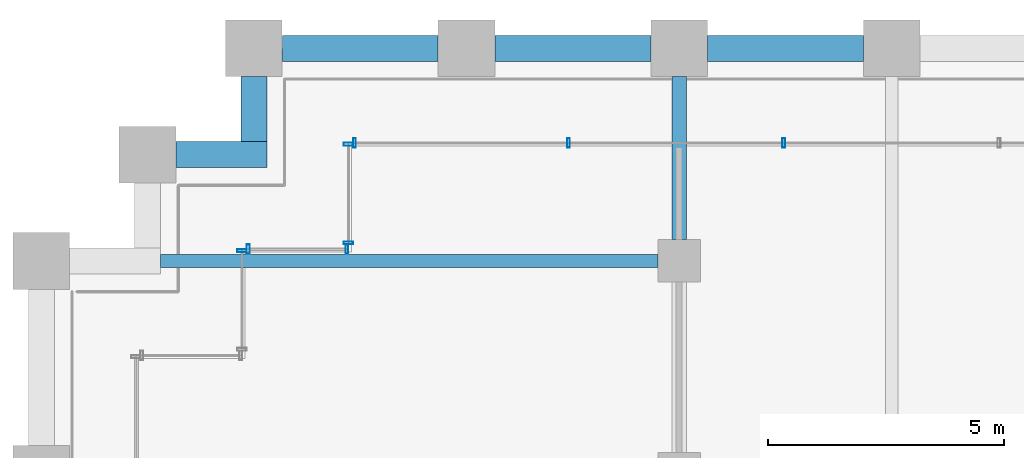
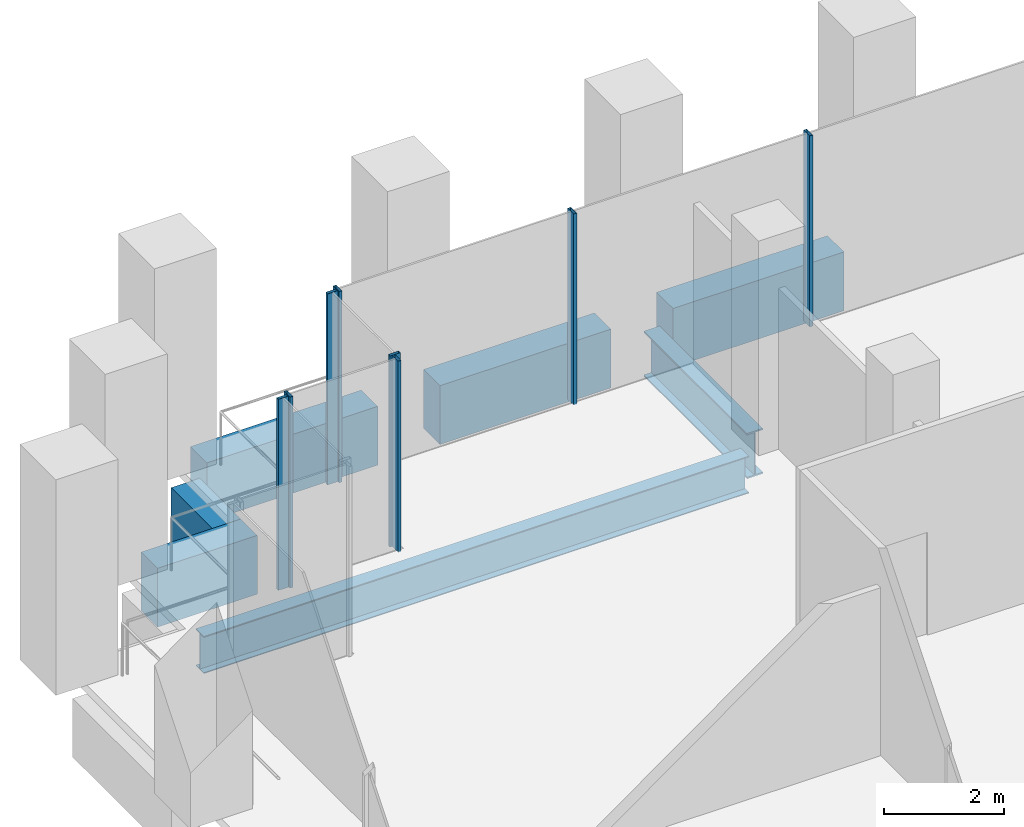
# One storey, part 14 of 36: 8 members, 7 beams, 4 elements without a shape of their own.
"""IFC4 building model written with IfcOpenShell, lengths in metres."""

from ifc_helpers import new_model, si_unit, direction, frame, origin, origin_2d, place, context, subcontext, project, spatial, rectangle, hollow_rectangle, i_section, extrude, material, material_profile, profile_set, type_object, element, aggregate, save


model = new_model("IFC4")

# Units and contexts
model_context = context("Model", 3, precision=1e-05, world=origin(), true_north=direction((0.0, 1.0)))
body_context = subcontext(model_context, "Body", "Model", "MODEL_VIEW")
ifc_project = project(units=[si_unit("LENGTHUNIT", "METRE"), si_unit("AREAUNIT", "SQUARE_METRE"), si_unit("VOLUMEUNIT", "CUBIC_METRE"), si_unit("PLANEANGLEUNIT", "RADIAN"), si_unit("MASSUNIT", "GRAM", prefix="KILO")], contexts=[model_context])

# Site, building, storey
site_placement = place(None, origin())
site = spatial("IfcSite", under=ifc_project, at=site_placement, CompositionType="ELEMENT")
building_placement = place(site_placement, origin())
building = spatial("IfcBuilding", under=site, at=building_placement, Name="Altepetl Exchange Towers", CompositionType="ELEMENT")
storey_placement = place(building_placement, frame((0.0, 0.0, 25.39990234375)))
storey = spatial("IfcBuildingStorey", under=building, at=storey_placement, Name="L05", CompositionType="ELEMENT", Elevation=25.39990234375)

# Beams
ifc_material_1 = material(Name="Steel S355", Category="steel")
ifc_material_profile_1 = material_profile(ifc_material_1, i_section(OverallWidth=0.26611328125, OverallDepth=0.758056640625, WebThickness=0.013916015625, FlangeThickness=0.019287109375, at=origin_2d()), Name="W30X108")
ifc_profile_set_1 = profile_set([ifc_material_profile_1], Name="Steel S355")
beam_type_1 = type_object("IfcBeamType", Name="Floor beam W30X108", PredefinedType="BEAM", material=ifc_profile_set_1)
beam_1_placement = place(storey_placement, frame((29.52490234375, 67.5, -0.553955078125), z_axis=(1.0, 0.0, 0.0), x_axis=(0.0, 1.0, 0.0)))
element("IfcBeam", 1, at=beam_1_placement, inside=storey, type_object=beam_type_1, Name="bm:A:L05:023", PredefinedType="BEAM", context=body_context, shape_type="SweptSolid", body=[
    extrude(i_section(OverallWidth=0.26611328125, OverallDepth=0.758056640625, WebThickness=0.013916015625, FlangeThickness=0.019287109375, at=origin_2d()), origin(), (0.0, 0.0, 1.0), 10.525146484375),
])
ifc_material_profile_2 = material_profile(ifc_material_1, i_section(OverallWidth=0.306884765625, OverallDepth=0.923095703125, WebThickness=0.018310546875, FlangeThickness=0.030029296875, at=origin_2d()), Name="W36X182")
ifc_profile_set_2 = profile_set([ifc_material_profile_2], Name="Steel S355")
beam_type_2 = type_object("IfcBeamType", Name="Girder W36X182", PredefinedType="BEAM", material=ifc_profile_set_2)
beam_2_placement = place(storey_placement, frame((40.5, 71.39990234375, -0.636474609375), z_axis=(0.0, -1.0, 0.0), x_axis=(1.0, 0.0, 0.0)))
element("IfcBeam", 2, at=beam_2_placement, inside=storey, type_object=beam_type_2, Name="gd:A:L05:003", PredefinedType="BEAM", context=body_context, shape_type="SweptSolid", body=[
    extrude(i_section(OverallWidth=0.306884765625, OverallDepth=0.923095703125, WebThickness=0.018310546875, FlangeThickness=0.030029296875, at=origin_2d()), origin(), (0.0, 0.0, 1.0), 3.449951171875),
])

# Curtain wall, members
ifc_material_2 = material(Name="Aluminium 6063-T6 glazing", Category="aluminium")
curtain_wall_type = type_object("IfcCurtainWallType", Name="Trading floor glazing system", PredefinedType="NOTDEFINED", material=ifc_material_2)
curtain_wall_1_placement = place(storey_placement, origin())
curtain_wall_1 = element("IfcCurtainWall", 3, at=curtain_wall_1_placement, inside=storey, type_object=curtain_wall_type, Name="CW2 run", PredefinedType="NOTDEFINED")
ifc_material_3 = material(Name="Aluminium 6063-T6", Category="aluminium")
ifc_material_profile_3 = material_profile(ifc_material_3, hollow_rectangle(XDim=0.06005859375, YDim=0.199951171875, WallThickness=0.0029296875, at=origin_2d()), Name="Mullion 60x200 aluminium")
ifc_profile_set_3 = profile_set([ifc_material_profile_3], Name="Aluminium 6063-T6")
member_type = type_object("IfcMemberType", Name="Mullion 60x200 aluminium", PredefinedType="MULLION", material=ifc_profile_set_3)
member_1_placement = place(storey_placement, frame((42.71435546875, 70.0, 0.0), z_axis=(0.0, 0.0, 1.0), x_axis=(-1.0, 0.0, 0.0)))
member_1 = element("IfcMember", 4, at=member_1_placement, type_object=member_type, Name="MU2 mullion", PredefinedType="MULLION", context=body_context, shape_type="SweptSolid", body=[
    extrude(hollow_rectangle(XDim=0.06005859375, YDim=0.199951171875, WallThickness=0.0029296875, at=origin_2d()), origin(), (0.0, 0.0, 1.0), 3.900146484375),
])
member_2_placement = place(storey_placement, frame((38.1572265625, 70.0, 0.0), z_axis=(0.0, 0.0, 1.0), x_axis=(-1.0, 0.0, 0.0)))
member_2 = element("IfcMember", 5, at=member_2_placement, type_object=member_type, Name="MU2 mullion", PredefinedType="MULLION", context=body_context, shape_type="SweptSolid", body=[
    extrude(hollow_rectangle(XDim=0.06005859375, YDim=0.199951171875, WallThickness=0.0029296875, at=origin_2d()), origin(), (0.0, 0.0, 1.0), 3.900146484375),
])
member_3_placement = place(storey_placement, frame((33.6298828125, 70.0, 0.0), z_axis=(0.0, 0.0, 1.0), x_axis=(-1.0, 0.0, 0.0)))
member_3 = element("IfcMember", 6, at=member_3_placement, type_object=member_type, Name="MU2 mullion", PredefinedType="MULLION", context=body_context, shape_type="SweptSolid", body=[
    extrude(hollow_rectangle(XDim=0.06005859375, YDim=0.199951171875, WallThickness=0.0029296875, at=origin_2d()), origin(), (0.0, 0.0, 1.0), 3.900146484375),
])
aggregate(curtain_wall_1, [member_1, member_2, member_3])

curtain_wall_2_placement = place(storey_placement, origin())
curtain_wall_2 = element("IfcCurtainWall", 7, at=curtain_wall_2_placement, inside=storey, type_object=curtain_wall_type, Name="CW2 run", PredefinedType="NOTDEFINED")
member_4_placement = place(storey_placement, frame((33.5, 69.969970703125, 0.0), z_axis=(0.0, 0.0, 1.0), x_axis=(0.0, -1.0, 0.0)))
member_4 = element("IfcMember", 8, at=member_4_placement, type_object=member_type, Name="MU2 mullion", PredefinedType="MULLION", context=body_context, shape_type="SweptSolid", body=[
    extrude(hollow_rectangle(XDim=0.06005859375, YDim=0.199951171875, WallThickness=0.0029296875, at=origin_2d()), origin(), (0.0, 0.0, 1.0), 3.900146484375),
])
member_5_placement = place(storey_placement, frame((33.5, 67.8798828125, 0.0), z_axis=(0.0, 0.0, 1.0), x_axis=(0.0, -1.0, 0.0)))
member_5 = element("IfcMember", 9, at=member_5_placement, type_object=member_type, Name="MU2 mullion", PredefinedType="MULLION", context=body_context, shape_type="SweptSolid", body=[
    extrude(hollow_rectangle(XDim=0.06005859375, YDim=0.199951171875, WallThickness=0.0029296875, at=origin_2d()), origin(), (0.0, 0.0, 1.0), 3.900146484375),
])
aggregate(curtain_wall_2, [member_4, member_5])

curtain_wall_3_placement = place(storey_placement, origin())
curtain_wall_3 = element("IfcCurtainWall", 10, at=curtain_wall_3_placement, inside=storey, type_object=curtain_wall_type, Name="CW2 run", PredefinedType="NOTDEFINED")
member_6_placement = place(storey_placement, frame((33.469970703125, 67.75, 0.0), z_axis=(0.0, 0.0, 1.0), x_axis=(-1.0, 0.0, 0.0)))
member_6 = element("IfcMember", 11, at=member_6_placement, type_object=member_type, Name="MU2 mullion", PredefinedType="MULLION", context=body_context, shape_type="SweptSolid", body=[
    extrude(hollow_rectangle(XDim=0.06005859375, YDim=0.199951171875, WallThickness=0.0029296875, at=origin_2d()), origin(), (0.0, 0.0, 1.0), 3.900146484375),
])
member_7_placement = place(storey_placement, frame((31.3798828125, 67.75, 0.0), z_axis=(0.0, 0.0, 1.0), x_axis=(-1.0, 0.0, 0.0)))
member_7 = element("IfcMember", 12, at=member_7_placement, type_object=member_type, Name="MU2 mullion", PredefinedType="MULLION", context=body_context, shape_type="SweptSolid", body=[
    extrude(hollow_rectangle(XDim=0.06005859375, YDim=0.199951171875, WallThickness=0.0029296875, at=origin_2d()), origin(), (0.0, 0.0, 1.0), 3.900146484375),
])
aggregate(curtain_wall_3, [member_6, member_7])

# Curtain wall, member
curtain_wall_4_placement = place(storey_placement, origin())
curtain_wall_4 = element("IfcCurtainWall", 13, at=curtain_wall_4_placement, inside=storey, type_object=curtain_wall_type, Name="CW2 run", PredefinedType="NOTDEFINED")
member_8_placement = place(storey_placement, frame((31.25, 67.719970703125, 0.0), z_axis=(0.0, 0.0, 1.0), x_axis=(0.0, -1.0, 0.0)))
member_8 = element("IfcMember", 14, at=member_8_placement, type_object=member_type, Name="MU2 mullion", PredefinedType="MULLION", context=body_context, shape_type="SweptSolid", body=[
    extrude(hollow_rectangle(XDim=0.06005859375, YDim=0.199951171875, WallThickness=0.0029296875, at=origin_2d()), origin(), (0.0, 0.0, 1.0), 3.900146484375),
])
aggregate(curtain_wall_4, [member_8])

# Beams
ifc_material_4 = material(Name="Concrete C50/60 precast with cantera rosa facing", Category="concrete")
ifc_material_profile_4 = material_profile(ifc_material_4, rectangle(XDim=0.550048828125, YDim=1.199951171875, at=origin_2d()), Name="550 x 1200")
ifc_profile_set_4 = profile_set([ifc_material_profile_4], Name="Concrete C50/60 precast with cantera rosa facing")
beam_type_3 = type_object("IfcBeamType", Name="Spandrel beam 550x1200 cantera rosa", PredefinedType="SPANDREL", material=ifc_profile_set_4)
beam_3_placement = place(storey_placement, frame((44.39990234375, 72.0, -0.77490234375), z_axis=(-1.0, 0.0, 0.0), x_axis=(0.0, -1.0, 0.0)))
element("IfcBeam", 15, at=beam_3_placement, inside=storey, type_object=beam_type_3, Name="sp:A:L05:029", PredefinedType="SPANDREL", context=body_context, shape_type="SweptSolid", body=[
    extrude(rectangle(XDim=0.550048828125, YDim=1.199951171875, at=origin_2d()), origin(), (0.0, 0.0, 1.0), 3.2998046875),
])
ifc_material_5 = material(Name="Concrete C50/60 precast with tezontle facing", Category="concrete")
ifc_material_profile_5 = material_profile(ifc_material_5, rectangle(XDim=0.550048828125, YDim=1.199951171875, at=origin_2d()), Name="550 x 1200")
ifc_profile_set_5 = profile_set([ifc_material_profile_5], Name="Concrete C50/60 precast with tezontle facing")
beam_type_4 = type_object("IfcBeamType", Name="Spandrel beam 550x1200 tezontle", PredefinedType="SPANDREL", material=ifc_profile_set_5)
for number, where, z_axis, x_axis, name in (
    (16, (39.89990234375, 72.0, -0.77490234375), (-1.0, 0.0, 0.0), (0.0, -1.0, 0.0), "sp:A:L05:030"),
    (17, (35.39990234375, 72.0, -0.77490234375), (-1.0, 0.0, 0.0), (0.0, -1.0, 0.0), "sp:A:L05:031"),
):
    element("IfcBeam", number, at=place(storey_placement, frame(where, z_axis=z_axis, x_axis=x_axis)), inside=storey, type_object=beam_type_4, Name=name, PredefinedType="SPANDREL", context=body_context, shape_type="SweptSolid", body=[
        extrude(rectangle(XDim=0.550048828125, YDim=1.199951171875, at=origin_2d()), origin(), (0.0, 0.0, 1.0), 3.2998046875),
    ])
beam_4_placement = place(storey_placement, frame((31.5, 71.39990234375, -0.77490234375), z_axis=(0.0, -1.0, 0.0), x_axis=(1.0, 0.0, 0.0)))
element("IfcBeam", 18, at=beam_4_placement, inside=storey, type_object=beam_type_4, Name="sp:A:L05:032", PredefinedType="SPANDREL", context=body_context, shape_type="SweptSolid", body=[
    extrude(rectangle(XDim=0.550048828125, YDim=1.199951171875, at=origin_2d()), origin(), (0.0, 0.0, 1.0), 1.375),
])
beam_5_placement = place(storey_placement, frame((31.77490234375, 69.75, -0.77490234375), z_axis=(-1.0, 0.0, 0.0), x_axis=(0.0, -1.0, 0.0)))
element("IfcBeam", 19, at=beam_5_placement, inside=storey, type_object=beam_type_4, Name="sp:A:L05:033", PredefinedType="SPANDREL", context=body_context, shape_type="SweptSolid", body=[
    extrude(rectangle(XDim=0.550048828125, YDim=1.199951171875, at=origin_2d()), origin(), (0.0, 0.0, 1.0), 1.9248046875),
])

save(model, "model.ifc")
